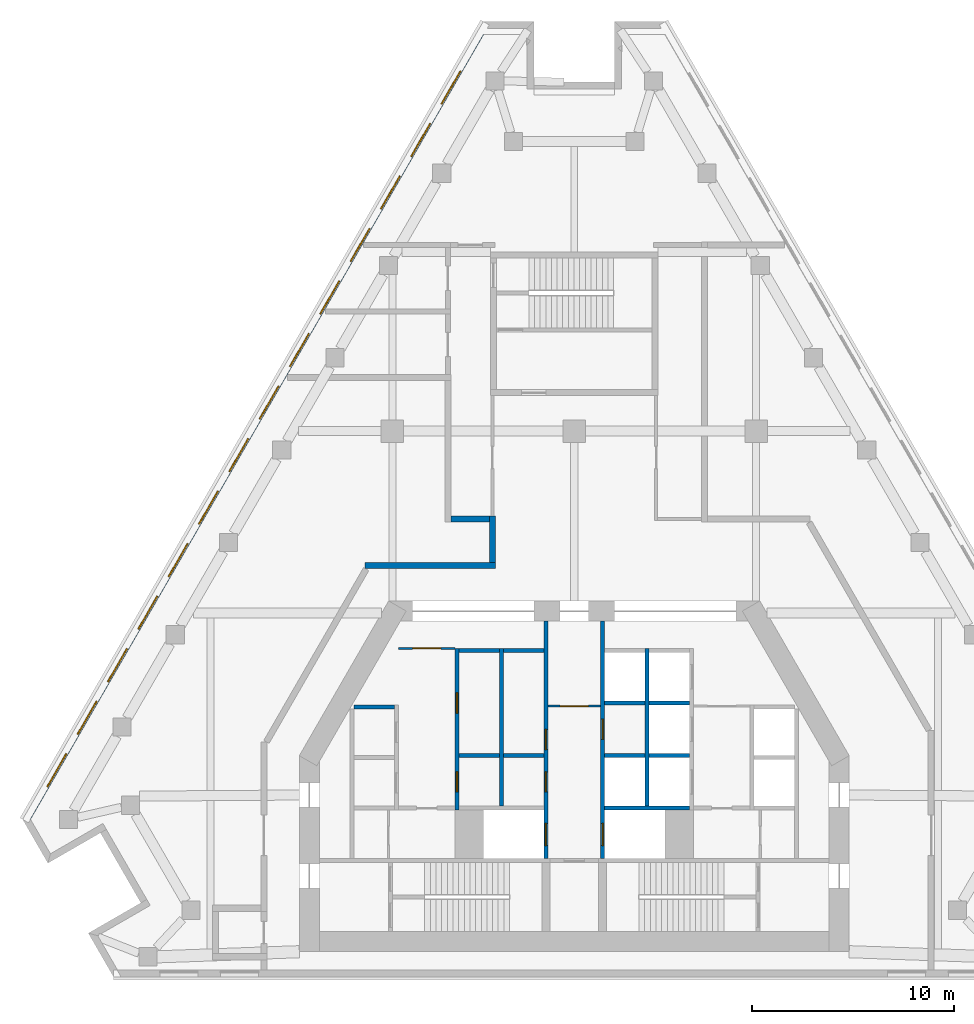
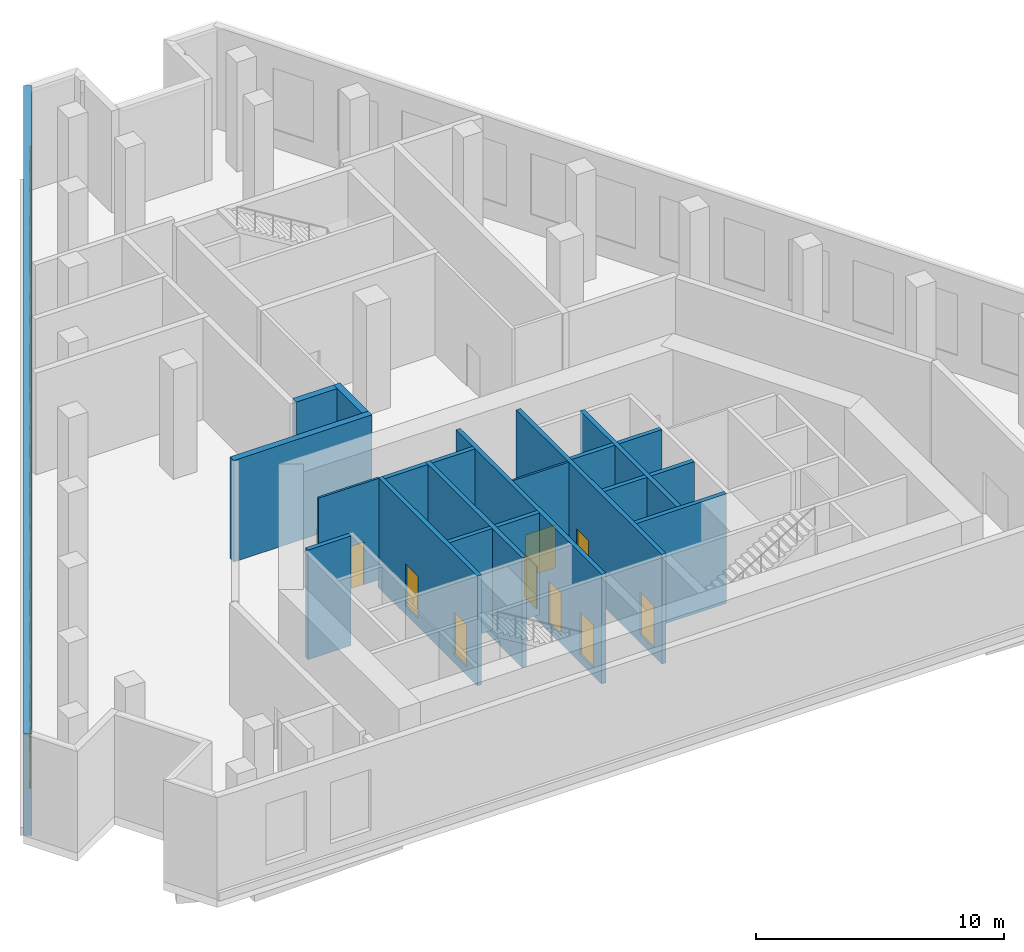
# One storey, part 3 of 7: 21 walls, 14 windows, 9 doors, 23 openings.
"""IFC4 building model written with IfcOpenShell, lengths in metres."""

from ifc_helpers import new_model, si_unit, direction, frame, frame_2d, origin, place, context, subcontext, project, spatial, rectangle, extrude, material, layer, layer_set, type_object, element, fill, save


model = new_model("IFC4")

# Units and contexts
model_context = context("Model", 3, precision=1e-05, world=origin(), true_north=direction((0.0, 1.0)))
body_context = subcontext(model_context, "Body", "Model", "MODEL_VIEW")
ifc_project = project(units=[si_unit("LENGTHUNIT", "METRE"), si_unit("AREAUNIT", "SQUARE_METRE"), si_unit("VOLUMEUNIT", "CUBIC_METRE"), si_unit("PLANEANGLEUNIT", "RADIAN"), si_unit("MASSUNIT", "GRAM", prefix="KILO")], contexts=[model_context])

# Site, building, storey
site_placement = place(None, origin())
site = spatial("IfcSite", under=ifc_project, at=site_placement, CompositionType="ELEMENT")
building_placement = place(site_placement, origin())
building = spatial("IfcBuilding", under=site, at=building_placement, Name="Fogline Exchange Tower", CompositionType="ELEMENT")
storey_placement = place(building_placement, frame((0.0, 0.0, 218.10009765625)))
storey = spatial("IfcBuildingStorey", under=building, at=storey_placement, Name="L49", CompositionType="ELEMENT", Elevation=218.10009765625)

# Wall, opening, door
ifc_material_1 = material(Name="Blockwork partition", Category="masonry")
ifc_layer_1 = layer(ifc_material_1, 0.10009765625)
ifc_layer_set_1 = layer_set([ifc_layer_1], Name="CW10")
wall_type_1 = type_object("IfcWallType", Name="CW10", PredefinedType="PARTITIONING", material=ifc_layer_set_1)
wall_1_placement = place(storey_placement, frame((-8.699951171875, 16.25, 0.0), z_axis=(0.0, 0.0, 1.0), x_axis=(1.0, 0.0, 0.0)))
wall_1 = element("IfcWall", 1, at=wall_1_placement, inside=storey, type_object=wall_type_1, Name="Lift lobby partition", PredefinedType="PARTITIONING", context=body_context, shape_type="SweptSolid", body=[
    extrude(rectangle(XDim=2.800048828125, YDim=0.10009765625, at=frame_2d((1.39990234375, 0.0))), origin(), (0.0, 0.0, 1.0), 5.0),
])
opening_1_placement = place(wall_1_placement, frame((0.699951171875, 0.0, 0.0)))
opening_1 = element("IfcOpeningElement", 2, at=opening_1_placement, cuts=wall_1, Name="Opening L49-C009", PredefinedType="OPENING", context=body_context, shape_type="SweptSolid", body=[
    extrude(rectangle(XDim=1.39990234375, YDim=2.10009765625, at=frame_2d((0.699951171875, 1.050048828125))), frame((0.0, 0.06005859375, 0.0), z_axis=(0.0, -1.0, 0.0), x_axis=(1.0, 0.0, 0.0)), (0.0, 0.0, 1.0), 0.1201171875),
])
ifc_material_2 = material(Name="Steel and timber fire door", Category="steel")
door_type_1 = type_object("IfcDoorType", Name="D-LB1", OperationType="DOUBLE_DOOR_SINGLE_SWING", PredefinedType="DOOR", material=ifc_material_2)
door_1_placement = place(opening_1_placement, origin())
door_1 = element("IfcDoor", 3, at=door_1_placement, inside=storey, type_object=door_type_1, Name="Door to lift lobby", OperationType="DOUBLE_DOOR_SINGLE_SWING", OverallHeight=2.10009765625, OverallWidth=1.39990234375, PredefinedType="DOOR", context=body_context, shape_type="SweptSolid", body=[
    extrude(rectangle(XDim=1.39990234375, YDim=2.10009765625, at=frame_2d((0.699951171875, 1.050048828125))), frame((0.0, 0.02490234375, 0.0), z_axis=(0.0, -1.0, 0.0), x_axis=(1.0, 0.0, 0.0)), (0.0, 0.0, 1.0), 0.050048828125),
])
fill(opening_1, door_1)

wall_2_placement = place(storey_placement, frame((-1.300048828125, 13.39990234375, 0.0), z_axis=(0.0, 0.0, 1.0), x_axis=(1.0, 0.0, 0.0)))
wall_2 = element("IfcWall", 4, at=wall_2_placement, inside=storey, type_object=wall_type_1, Name="Lift lobby partition", PredefinedType="PARTITIONING", context=body_context, shape_type="SweptSolid", body=[
    extrude(rectangle(XDim=2.60009765625, YDim=0.10009765625, at=frame_2d((1.300048828125, 0.0))), origin(), (0.0, 0.0, 1.0), 5.0),
])
opening_2_placement = place(wall_2_placement, frame((0.60009765625, 0.0, 0.0)))
opening_2 = element("IfcOpeningElement", 5, at=opening_2_placement, cuts=wall_2, Name="Opening L49-C021", PredefinedType="OPENING", context=body_context, shape_type="SweptSolid", body=[
    extrude(rectangle(XDim=1.39990234375, YDim=2.10009765625, at=frame_2d((0.699951171875, 1.050048828125))), frame((0.0, 0.06005859375, 0.0), z_axis=(0.0, -1.0, 0.0), x_axis=(1.0, 0.0, 0.0)), (0.0, 0.0, 1.0), 0.1201171875),
])
door_2_placement = place(opening_2_placement, origin())
door_2 = element("IfcDoor", 6, at=door_2_placement, inside=storey, type_object=door_type_1, Name="Door to firefighting lift lobby", OperationType="DOUBLE_DOOR_SINGLE_SWING", OverallHeight=2.10009765625, OverallWidth=1.39990234375, PredefinedType="DOOR", context=body_context, shape_type="SweptSolid", body=[
    extrude(rectangle(XDim=1.39990234375, YDim=2.10009765625, at=frame_2d((0.699951171875, 1.050048828125))), frame((0.0, 0.02490234375, 0.0), z_axis=(0.0, -1.0, 0.0), x_axis=(1.0, 0.0, 0.0)), (0.0, 0.0, 1.0), 0.050048828125),
])
fill(opening_2, door_2)

# Walls
ifc_material_3 = material(Name="Concrete C40", Category="concrete")
ifc_layer_2 = layer(ifc_material_3, 0.199951171875)
ifc_layer_set_2 = layer_set([ifc_layer_2], Name="CW20")
wall_type_2 = type_object("IfcWallType", Name="CW20", PredefinedType="SOLIDWALL", material=ifc_layer_set_2)
for number, where, z_axis, x_axis, name in (
    (7, (-5.699951171875, 10.949951171875, 0.0), (0.0, 0.0, 1.0), (1.0, 0.0, 0.0), "Service room wall"),
    (8, (-3.5, 10.949951171875, 0.0), (0.0, 0.0, 1.0), (1.0, 0.0, 0.0), "Service room wall"),
):
    element("IfcWall", number, at=place(storey_placement, frame(where, z_axis=z_axis, x_axis=x_axis)), inside=storey, type_object=wall_type_2, Name=name, PredefinedType="SOLIDWALL", context=body_context, shape_type="SweptSolid", body=[
        extrude(rectangle(XDim=2.0, YDim=0.199951171875, at=frame_2d((1.0, 0.0))), origin(), (0.0, 0.0, 1.0), 5.0),
    ])

# Wall, openings, doors
ifc_layer_3 = layer(ifc_material_3, 0.199951171875)
ifc_layer_set_3 = layer_set([ifc_layer_3], Name="CW20S")
wall_type_3 = type_object("IfcWallType", Name="CW20S", PredefinedType="SOLIDWALL", material=ifc_layer_set_3)
wall_3_placement = place(storey_placement, frame((-5.800048828125, 8.25, -0.400146484375), z_axis=(0.0, 0.0, 1.0), x_axis=(0.0, 1.0, 0.0)))
wall_3 = element("IfcWall", 9, at=wall_3_placement, inside=storey, type_object=wall_type_3, Name="Lift shaft wall", PredefinedType="SOLIDWALL", context=body_context, shape_type="SweptSolid", body=[
    extrude(rectangle(XDim=8.0, YDim=0.199951171875, at=frame_2d((4.0, 0.0))), origin(), (0.0, 0.0, 1.0), 5.400146484375),
])
opening_3_placement = place(wall_3_placement, frame((0.89990234375, 0.0, 0.39990234375)))
opening_3 = element("IfcOpeningElement", 10, at=opening_3_placement, cuts=wall_3, Name="Opening L49-C003", PredefinedType="OPENING", context=body_context, shape_type="SweptSolid", body=[
    extrude(rectangle(XDim=1.0, YDim=2.10009765625, at=frame_2d((0.5, 1.050048828125))), frame((0.0, 0.10986328125, 0.0), z_axis=(0.0, -1.0, 0.0), x_axis=(1.0, 0.0, 0.0)), (0.0, 0.0, 1.0), 0.219970703125),
])
opening_4_placement = place(wall_3_placement, frame((4.800048828125, 0.0, 0.39990234375)))
opening_4 = element("IfcOpeningElement", 11, at=opening_4_placement, cuts=wall_3, Name="Opening L49-C004", PredefinedType="OPENING", context=body_context, shape_type="SweptSolid", body=[
    extrude(rectangle(XDim=1.0, YDim=2.10009765625, at=frame_2d((0.5, 1.050048828125))), frame((0.0, 0.10986328125, 0.0), z_axis=(0.0, -1.0, 0.0), x_axis=(1.0, 0.0, 0.0)), (0.0, 0.0, 1.0), 0.219970703125),
])
door_type_2 = type_object("IfcDoorType", Name="D-RM1", OperationType="SINGLE_SWING_LEFT", PredefinedType="DOOR", material=ifc_material_2)
door_3_placement = place(opening_3_placement, frame((1.0, 0.0, 0.0), z_axis=(0.0, 0.0, 1.0), x_axis=(-1.0, 0.0, 0.0)))
door_3 = element("IfcDoor", 12, at=door_3_placement, inside=storey, type_object=door_type_2, Name="Door to Switch Room", OperationType="SINGLE_SWING_LEFT", OverallHeight=2.10009765625, OverallWidth=1.0, PredefinedType="DOOR", context=body_context, shape_type="SweptSolid", body=[
    extrude(rectangle(XDim=1.0, YDim=2.10009765625, at=frame_2d((0.5, 1.050048828125))), frame((0.0, 0.02490234375, 0.0), z_axis=(0.0, -1.0, 0.0), x_axis=(1.0, 0.0, 0.0)), (0.0, 0.0, 1.0), 0.050048828125),
])
fill(opening_3, door_3)
door_4_placement = place(opening_4_placement, frame((1.0, 0.0, 0.0), z_axis=(0.0, 0.0, 1.0), x_axis=(-1.0, 0.0, 0.0)))
door_4 = element("IfcDoor", 13, at=door_4_placement, inside=storey, type_object=door_type_2, Name="Door to Mechanical Plant Room", OperationType="SINGLE_SWING_RIGHT", OverallHeight=2.10009765625, OverallWidth=1.0, PredefinedType="DOOR", context=body_context, shape_type="SweptSolid", body=[
    extrude(rectangle(XDim=1.0, YDim=2.10009765625, at=frame_2d((0.5, 1.050048828125))), frame((0.0, 0.02490234375, 0.0), z_axis=(0.0, -1.0, 0.0), x_axis=(1.0, 0.0, 0.0)), (0.0, 0.0, 1.0), 0.050048828125),
])
fill(opening_4, door_4)

# Walls
for number, where, z_axis, x_axis, name in (
    (14, (-3.60009765625, 8.449951171875, -0.400146484375), (0.0, 0.0, 1.0), (0.0, 1.0, 0.0), "Lift shaft wall"),
    (15, (3.60009765625, 8.449951171875, -0.400146484375), (0.0, 0.0, 1.0), (0.0, 1.0, 0.0), "Lift shaft wall"),
):
    element("IfcWall", number, at=place(storey_placement, frame(where, z_axis=z_axis, x_axis=x_axis)), inside=storey, type_object=wall_type_3, Name=name, PredefinedType="SOLIDWALL", context=body_context, shape_type="SweptSolid", body=[
        extrude(rectangle(XDim=7.800048828125, YDim=0.199951171875, at=frame_2d((3.89990234375, 0.0))), origin(), (0.0, 0.0, 1.0), 5.400146484375),
    ])

# Wall, openings, doors
wall_4_placement = place(storey_placement, frame((-1.39990234375, 5.85009765625, -0.400146484375), z_axis=(0.0, 0.0, 1.0), x_axis=(0.0, 1.0, 0.0)))
wall_4 = element("IfcWall", 16, at=wall_4_placement, inside=storey, type_object=wall_type_3, Name="Lift lobby wall", PredefinedType="SOLIDWALL", context=body_context, shape_type="SweptSolid", body=[
    extrude(rectangle(XDim=11.75, YDim=0.199951171875, at=frame_2d((5.875, 0.0))), origin(), (0.0, 0.0, 1.0), 5.400146484375),
])
opening_5_placement = place(wall_4_placement, frame((0.64990234375, 0.0, 0.39990234375)))
opening_5 = element("IfcOpeningElement", 17, at=opening_5_placement, cuts=wall_4, Name="Opening L49-LD01", PredefinedType="OPENING", context=body_context, shape_type="SweptSolid", body=[
    extrude(rectangle(XDim=1.10009765625, YDim=2.10009765625, at=frame_2d((0.550048828125, 1.050048828125))), frame((0.0, 0.10986328125, 0.0), z_axis=(0.0, -1.0, 0.0), x_axis=(1.0, 0.0, 0.0)), (0.0, 0.0, 1.0), 0.219970703125),
])
opening_6_placement = place(wall_4_placement, frame((3.300048828125, 0.0, 0.39990234375)))
opening_6 = element("IfcOpeningElement", 18, at=opening_6_placement, cuts=wall_4, Name="Opening L49-C005", PredefinedType="OPENING", context=body_context, shape_type="SweptSolid", body=[
    extrude(rectangle(XDim=1.0, YDim=2.10009765625, at=frame_2d((0.5, 1.050048828125))), frame((0.0, 0.10986328125, 0.0), z_axis=(0.0, -1.0, 0.0), x_axis=(1.0, 0.0, 0.0)), (0.0, 0.0, 1.0), 0.219970703125),
])
opening_7_placement = place(wall_4_placement, frame((5.39990234375, 0.0, 0.39990234375)))
opening_7 = element("IfcOpeningElement", 19, at=opening_7_placement, cuts=wall_4, Name="Opening L49-C006", PredefinedType="OPENING", context=body_context, shape_type="SweptSolid", body=[
    extrude(rectangle(XDim=1.0, YDim=2.10009765625, at=frame_2d((0.5, 1.050048828125))), frame((0.0, 0.10986328125, 0.0), z_axis=(0.0, -1.0, 0.0), x_axis=(1.0, 0.0, 0.0)), (0.0, 0.0, 1.0), 0.219970703125),
])
door_5_placement = place(opening_6_placement, origin())
door_5 = element("IfcDoor", 20, at=door_5_placement, inside=storey, type_object=door_type_2, Name="Door to Plumbing Plant Room", OperationType="SINGLE_SWING_LEFT", OverallHeight=2.10009765625, OverallWidth=1.0, PredefinedType="DOOR", context=body_context, shape_type="SweptSolid", body=[
    extrude(rectangle(XDim=1.0, YDim=2.10009765625, at=frame_2d((0.5, 1.050048828125))), frame((0.0, 0.02490234375, 0.0), z_axis=(0.0, -1.0, 0.0), x_axis=(1.0, 0.0, 0.0)), (0.0, 0.0, 1.0), 0.050048828125),
])
fill(opening_6, door_5)
door_6_placement = place(opening_7_placement, origin())
door_6 = element("IfcDoor", 21, at=door_6_placement, inside=storey, type_object=door_type_2, Name="Door to Pump Plant Room", OperationType="SINGLE_SWING_LEFT", OverallHeight=2.10009765625, OverallWidth=1.0, PredefinedType="DOOR", context=body_context, shape_type="SweptSolid", body=[
    extrude(rectangle(XDim=1.0, YDim=2.10009765625, at=frame_2d((0.5, 1.050048828125))), frame((0.0, 0.02490234375, 0.0), z_axis=(0.0, -1.0, 0.0), x_axis=(1.0, 0.0, 0.0)), (0.0, 0.0, 1.0), 0.050048828125),
])
fill(opening_7, door_6)
door_type_3 = type_object("IfcDoorType", Name="LD2", OperationType="SLIDING_TO_RIGHT", PredefinedType="DOOR", material=ifc_material_2)
door_7_placement = place(opening_5_placement, origin())
door_7 = element("IfcDoor", 22, at=door_7_placement, inside=storey, type_object=door_type_3, Name="Landing door FF1", OperationType="SLIDING_TO_RIGHT", OverallHeight=2.10009765625, OverallWidth=1.10009765625, PredefinedType="DOOR", context=body_context, shape_type="SweptSolid", body=[
    extrude(rectangle(XDim=1.10009765625, YDim=2.10009765625, at=frame_2d((0.550048828125, 1.050048828125))), frame((0.0, 0.02490234375, 0.0), z_axis=(0.0, -1.0, 0.0), x_axis=(1.0, 0.0, 0.0)), (0.0, 0.0, 1.0), 0.050048828125),
])
fill(opening_5, door_7)

wall_5_placement = place(storey_placement, frame((1.39990234375, 5.85009765625, -0.400146484375), z_axis=(0.0, 0.0, 1.0), x_axis=(0.0, 1.0, 0.0)))
wall_5 = element("IfcWall", 23, at=wall_5_placement, inside=storey, type_object=wall_type_3, Name="Lift lobby wall", PredefinedType="SOLIDWALL", context=body_context, shape_type="SweptSolid", body=[
    extrude(rectangle(XDim=11.75, YDim=0.199951171875, at=frame_2d((5.875, 0.0))), origin(), (0.0, 0.0, 1.0), 5.400146484375),
])
opening_8_placement = place(wall_5_placement, frame((0.64990234375, 0.0, 0.39990234375)))
opening_8 = element("IfcOpeningElement", 24, at=opening_8_placement, cuts=wall_5, Name="Opening L49-LD05", PredefinedType="OPENING", context=body_context, shape_type="SweptSolid", body=[
    extrude(rectangle(XDim=1.10009765625, YDim=2.10009765625, at=frame_2d((0.550048828125, 1.050048828125))), frame((0.0, 0.10986328125, 0.0), z_axis=(0.0, -1.0, 0.0), x_axis=(1.0, 0.0, 0.0)), (0.0, 0.0, 1.0), 0.219970703125),
])
opening_9_placement = place(wall_5_placement, frame((5.89990234375, 0.0, 0.39990234375)))
opening_9 = element("IfcOpeningElement", 25, at=opening_9_placement, cuts=wall_5, Name="Opening L49-C007", PredefinedType="OPENING", context=body_context, shape_type="SweptSolid", body=[
    extrude(rectangle(XDim=1.0, YDim=2.10009765625, at=frame_2d((0.5, 1.050048828125))), frame((0.0, 0.10986328125, 0.0), z_axis=(0.0, -1.0, 0.0), x_axis=(1.0, 0.0, 0.0)), (0.0, 0.0, 1.0), 0.219970703125),
])
door_8_placement = place(opening_9_placement, frame((1.0, 0.0, 0.0), z_axis=(0.0, 0.0, 1.0), x_axis=(-1.0, 0.0, 0.0)))
door_8 = element("IfcDoor", 26, at=door_8_placement, inside=storey, type_object=door_type_2, Name="Door to Transformer Room", OperationType="SINGLE_SWING_RIGHT", OverallHeight=2.10009765625, OverallWidth=1.0, PredefinedType="DOOR", context=body_context, shape_type="SweptSolid", body=[
    extrude(rectangle(XDim=1.0, YDim=2.10009765625, at=frame_2d((0.5, 1.050048828125))), frame((0.0, 0.02490234375, 0.0), z_axis=(0.0, -1.0, 0.0), x_axis=(1.0, 0.0, 0.0)), (0.0, 0.0, 1.0), 0.050048828125),
])
fill(opening_9, door_8)
door_9_placement = place(opening_8_placement, origin())
door_9 = element("IfcDoor", 27, at=door_9_placement, inside=storey, type_object=door_type_3, Name="Landing door FF2", OperationType="SLIDING_TO_RIGHT", OverallHeight=2.10009765625, OverallWidth=1.10009765625, PredefinedType="DOOR", context=body_context, shape_type="SweptSolid", body=[
    extrude(rectangle(XDim=1.10009765625, YDim=2.10009765625, at=frame_2d((0.550048828125, 1.050048828125))), frame((0.0, 0.02490234375, 0.0), z_axis=(0.0, -1.0, 0.0), x_axis=(1.0, 0.0, 0.0)), (0.0, 0.0, 1.0), 0.050048828125),
])
fill(opening_8, door_9)

# Walls
wall_6_placement = place(storey_placement, frame((1.5, 8.35009765625, -0.400146484375), z_axis=(0.0, 0.0, 1.0), x_axis=(1.0, 0.0, 0.0)))
element("IfcWall", 28, at=wall_6_placement, inside=storey, type_object=wall_type_3, Name="Lift shaft wall", PredefinedType="SOLIDWALL", context=body_context, shape_type="SweptSolid", body=[
    extrude(rectangle(XDim=4.199951171875, YDim=0.199951171875, at=frame_2d((2.10009765625, 0.0))), origin(), (0.0, 0.0, 1.0), 5.400146484375),
])
for number, where, z_axis, x_axis, name in (
    (29, (-10.89990234375, 13.35009765625, -0.400146484375), (0.0, 0.0, 1.0), (1.0, 0.0, 0.0), "Lift shaft wall"),
    (30, (-5.699951171875, 16.14990234375, -0.400146484375), (0.0, 0.0, 1.0), (1.0, 0.0, 0.0), "Lift shaft wall"),
    (31, (-3.5, 16.14990234375, -0.400146484375), (0.0, 0.0, 1.0), (1.0, 0.0, 0.0), "Lift shaft wall"),
    (32, (3.699951171875, 10.949951171875, -0.400146484375), (0.0, 0.0, 1.0), (1.0, 0.0, 0.0), "Lift shaft wall"),
    (33, (3.699951171875, 13.550048828125, -0.400146484375), (0.0, 0.0, 1.0), (1.0, 0.0, 0.0), "Lift shaft wall"),
    (34, (1.5, 10.949951171875, -0.400146484375), (0.0, 0.0, 1.0), (1.0, 0.0, 0.0), "Lift shaft wall"),
    (35, (1.5, 13.550048828125, -0.400146484375), (0.0, 0.0, 1.0), (1.0, 0.0, 0.0), "Lift shaft wall"),
):
    element("IfcWall", number, at=place(storey_placement, frame(where, z_axis=z_axis, x_axis=x_axis)), inside=storey, type_object=wall_type_3, Name=name, PredefinedType="SOLIDWALL", context=body_context, shape_type="SweptSolid", body=[
        extrude(rectangle(XDim=2.0, YDim=0.199951171875, at=frame_2d((1.0, 0.0))), origin(), (0.0, 0.0, 1.0), 5.400146484375),
    ])

# Wall, openings, windows
ifc_material_4 = material(Name="Brick masonry", Category="masonry")
ifc_layer_4 = layer(ifc_material_4, 0.340087890625)
ifc_layer_set_4 = layer_set([ifc_layer_4], Name="FW3")
wall_type_4 = type_object("IfcWallType", Name="FW3", PredefinedType="SOLIDWALL", material=ifc_layer_set_4)
wall_7_placement = place(storey_placement, frame((-4.352783203125, 47.1767578125, 0.0), z_axis=(0.0, 0.0, 1.0), x_axis=(-0.500000533701, -0.866025095652, 0.0)))
wall_7 = element("IfcWall", 36, at=wall_7_placement, inside=storey, type_object=wall_type_4, Name="Brick wall L49 W", PredefinedType="SOLIDWALL", context=body_context, shape_type="SweptSolid", body=[
    extrude(rectangle(XDim=45.5732421875, YDim=0.340087890625, at=frame_2d((22.78662109375, 0.0))), origin(), (0.0, 0.0, 1.0), 5.0),
])
opening_10_placement = place(wall_7_placement, frame((2.6796875, 0.0, 0.89990234375)))
opening_10 = element("IfcOpeningElement", 37, at=opening_10_placement, cuts=wall_7, Name="Opening W6", PredefinedType="OPENING", context=body_context, shape_type="SweptSolid", body=[
    extrude(rectangle(XDim=1.885009765625, YDim=3.0, at=frame_2d((0.9423828125, 1.5))), frame((0.0, 0.18017578125, 0.0), z_axis=(0.0, -1.0, 0.0), x_axis=(1.0, 0.0, 0.0)), (0.0, 0.0, 1.0), 0.360107421875),
])
opening_11_placement = place(wall_7_placement, frame((5.6796875, 0.0, 0.89990234375)))
opening_11 = element("IfcOpeningElement", 38, at=opening_11_placement, cuts=wall_7, Name="Opening W6", PredefinedType="OPENING", context=body_context, shape_type="SweptSolid", body=[
    extrude(rectangle(XDim=1.885009765625, YDim=3.0, at=frame_2d((0.9423828125, 1.5))), frame((0.0, 0.18017578125, 0.0), z_axis=(0.0, -1.0, 0.0), x_axis=(1.0, 0.0, 0.0)), (0.0, 0.0, 1.0), 0.360107421875),
])
opening_12_placement = place(wall_7_placement, frame((8.6796875, 0.0, 0.89990234375)))
opening_12 = element("IfcOpeningElement", 39, at=opening_12_placement, cuts=wall_7, Name="Opening W6", PredefinedType="OPENING", context=body_context, shape_type="SweptSolid", body=[
    extrude(rectangle(XDim=1.885009765625, YDim=3.0, at=frame_2d((0.9423828125, 1.5))), frame((0.0, 0.18017578125, 0.0), z_axis=(0.0, -1.0, 0.0), x_axis=(1.0, 0.0, 0.0)), (0.0, 0.0, 1.0), 0.360107421875),
])
opening_13_placement = place(wall_7_placement, frame((11.6796875, 0.0, 0.89990234375)))
opening_13 = element("IfcOpeningElement", 40, at=opening_13_placement, cuts=wall_7, Name="Opening W6", PredefinedType="OPENING", context=body_context, shape_type="SweptSolid", body=[
    extrude(rectangle(XDim=1.885009765625, YDim=3.0, at=frame_2d((0.9423828125, 1.5))), frame((0.0, 0.18017578125, 0.0), z_axis=(0.0, -1.0, 0.0), x_axis=(1.0, 0.0, 0.0)), (0.0, 0.0, 1.0), 0.360107421875),
])
opening_14_placement = place(wall_7_placement, frame((14.6796875, 0.0, 0.89990234375)))
opening_14 = element("IfcOpeningElement", 41, at=opening_14_placement, cuts=wall_7, Name="Opening W6", PredefinedType="OPENING", context=body_context, shape_type="SweptSolid", body=[
    extrude(rectangle(XDim=1.885009765625, YDim=3.0, at=frame_2d((0.9423828125, 1.5))), frame((0.0, 0.18017578125, 0.0), z_axis=(0.0, -1.0, 0.0), x_axis=(1.0, 0.0, 0.0)), (0.0, 0.0, 1.0), 0.360107421875),
])
opening_15_placement = place(wall_7_placement, frame((17.6796875, 0.0, 0.89990234375)))
opening_15 = element("IfcOpeningElement", 42, at=opening_15_placement, cuts=wall_7, Name="Opening W6", PredefinedType="OPENING", context=body_context, shape_type="SweptSolid", body=[
    extrude(rectangle(XDim=1.885009765625, YDim=3.0, at=frame_2d((0.9423828125, 1.5))), frame((0.0, 0.18017578125, 0.0), z_axis=(0.0, -1.0, 0.0), x_axis=(1.0, 0.0, 0.0)), (0.0, 0.0, 1.0), 0.360107421875),
])
opening_16_placement = place(wall_7_placement, frame((20.6796875, 0.0, 0.89990234375)))
opening_16 = element("IfcOpeningElement", 43, at=opening_16_placement, cuts=wall_7, Name="Opening W6", PredefinedType="OPENING", context=body_context, shape_type="SweptSolid", body=[
    extrude(rectangle(XDim=1.885009765625, YDim=3.0, at=frame_2d((0.9423828125, 1.5))), frame((0.0, 0.18017578125, 0.0), z_axis=(0.0, -1.0, 0.0), x_axis=(1.0, 0.0, 0.0)), (0.0, 0.0, 1.0), 0.360107421875),
])
opening_17_placement = place(wall_7_placement, frame((23.6796875, 0.0, 0.89990234375)))
opening_17 = element("IfcOpeningElement", 44, at=opening_17_placement, cuts=wall_7, Name="Opening W6", PredefinedType="OPENING", context=body_context, shape_type="SweptSolid", body=[
    extrude(rectangle(XDim=1.885009765625, YDim=3.0, at=frame_2d((0.9423828125, 1.5))), frame((0.0, 0.18017578125, 0.0), z_axis=(0.0, -1.0, 0.0), x_axis=(1.0, 0.0, 0.0)), (0.0, 0.0, 1.0), 0.360107421875),
])
opening_18_placement = place(wall_7_placement, frame((26.6796875, 0.0, 0.89990234375)))
opening_18 = element("IfcOpeningElement", 45, at=opening_18_placement, cuts=wall_7, Name="Opening W6", PredefinedType="OPENING", context=body_context, shape_type="SweptSolid", body=[
    extrude(rectangle(XDim=1.885009765625, YDim=3.0, at=frame_2d((0.9423828125, 1.5))), frame((0.0, 0.18017578125, 0.0), z_axis=(0.0, -1.0, 0.0), x_axis=(1.0, 0.0, 0.0)), (0.0, 0.0, 1.0), 0.360107421875),
])
opening_19_placement = place(wall_7_placement, frame((29.6796875, 0.0, 0.89990234375)))
opening_19 = element("IfcOpeningElement", 46, at=opening_19_placement, cuts=wall_7, Name="Opening W6", PredefinedType="OPENING", context=body_context, shape_type="SweptSolid", body=[
    extrude(rectangle(XDim=1.885009765625, YDim=3.0, at=frame_2d((0.9423828125, 1.5))), frame((0.0, 0.18017578125, 0.0), z_axis=(0.0, -1.0, 0.0), x_axis=(1.0, 0.0, 0.0)), (0.0, 0.0, 1.0), 0.360107421875),
])
opening_20_placement = place(wall_7_placement, frame((32.6796875, 0.0, 0.89990234375)))
opening_20 = element("IfcOpeningElement", 47, at=opening_20_placement, cuts=wall_7, Name="Opening W6", PredefinedType="OPENING", context=body_context, shape_type="SweptSolid", body=[
    extrude(rectangle(XDim=1.885009765625, YDim=3.0, at=frame_2d((0.9423828125, 1.5))), frame((0.0, 0.18017578125, 0.0), z_axis=(0.0, -1.0, 0.0), x_axis=(1.0, 0.0, 0.0)), (0.0, 0.0, 1.0), 0.360107421875),
])
opening_21_placement = place(wall_7_placement, frame((35.6796875, 0.0, 0.89990234375)))
opening_21 = element("IfcOpeningElement", 48, at=opening_21_placement, cuts=wall_7, Name="Opening W6", PredefinedType="OPENING", context=body_context, shape_type="SweptSolid", body=[
    extrude(rectangle(XDim=1.885009765625, YDim=3.0, at=frame_2d((0.9423828125, 1.5))), frame((0.0, 0.18017578125, 0.0), z_axis=(0.0, -1.0, 0.0), x_axis=(1.0, 0.0, 0.0)), (0.0, 0.0, 1.0), 0.360107421875),
])
opening_22_placement = place(wall_7_placement, frame((38.6796875, 0.0, 0.89990234375)))
opening_22 = element("IfcOpeningElement", 49, at=opening_22_placement, cuts=wall_7, Name="Opening W6", PredefinedType="OPENING", context=body_context, shape_type="SweptSolid", body=[
    extrude(rectangle(XDim=1.885009765625, YDim=3.0, at=frame_2d((0.9423828125, 1.5))), frame((0.0, 0.18017578125, 0.0), z_axis=(0.0, -1.0, 0.0), x_axis=(1.0, 0.0, 0.0)), (0.0, 0.0, 1.0), 0.360107421875),
])
opening_23_placement = place(wall_7_placement, frame((41.6796875, 0.0, 0.89990234375)))
opening_23 = element("IfcOpeningElement", 50, at=opening_23_placement, cuts=wall_7, Name="Opening W6", PredefinedType="OPENING", context=body_context, shape_type="SweptSolid", body=[
    extrude(rectangle(XDim=1.885009765625, YDim=3.0, at=frame_2d((0.9423828125, 1.5))), frame((0.0, 0.18017578125, 0.0), z_axis=(0.0, -1.0, 0.0), x_axis=(1.0, 0.0, 0.0)), (0.0, 0.0, 1.0), 0.360107421875),
])
ifc_material_5 = material(Name="Aluminium louvre", Category="aluminium")
window_type = type_object("IfcWindowType", Name="W6", PartitioningType="SINGLE_PANEL", PredefinedType="WINDOW", material=ifc_material_5)
window_1_placement = place(opening_10_placement, origin())
window_1 = element("IfcWindow", 51, at=window_1_placement, inside=storey, type_object=window_type, Name="W6 W6", OverallHeight=3.0, OverallWidth=1.885009765625, PartitioningType="SINGLE_PANEL", PredefinedType="WINDOW", context=body_context, shape_type="SweptSolid", body=[
    extrude(rectangle(XDim=1.885009765625, YDim=3.0, at=frame_2d((0.9423828125, 1.5))), frame((0.0, 0.110107421875, 0.0), z_axis=(0.0, -1.0, 0.0), x_axis=(1.0, 0.0, 0.0)), (0.0, 0.0, 1.0), 0.06005859375),
])
fill(opening_10, window_1)
window_2_placement = place(opening_11_placement, origin())
window_2 = element("IfcWindow", 52, at=window_2_placement, inside=storey, type_object=window_type, Name="W6 W6", OverallHeight=3.0, OverallWidth=1.885009765625, PartitioningType="SINGLE_PANEL", PredefinedType="WINDOW", context=body_context, shape_type="SweptSolid", body=[
    extrude(rectangle(XDim=1.885009765625, YDim=3.0, at=frame_2d((0.9423828125, 1.5))), frame((0.0, 0.110107421875, 0.0), z_axis=(0.0, -1.0, 0.0), x_axis=(1.0, 0.0, 0.0)), (0.0, 0.0, 1.0), 0.06005859375),
])
fill(opening_11, window_2)
window_3_placement = place(opening_12_placement, origin())
window_3 = element("IfcWindow", 53, at=window_3_placement, inside=storey, type_object=window_type, Name="W6 W6", OverallHeight=3.0, OverallWidth=1.885009765625, PartitioningType="SINGLE_PANEL", PredefinedType="WINDOW", context=body_context, shape_type="SweptSolid", body=[
    extrude(rectangle(XDim=1.885009765625, YDim=3.0, at=frame_2d((0.9423828125, 1.5))), frame((0.0, 0.110107421875, 0.0), z_axis=(0.0, -1.0, 0.0), x_axis=(1.0, 0.0, 0.0)), (0.0, 0.0, 1.0), 0.06005859375),
])
fill(opening_12, window_3)
window_4_placement = place(opening_13_placement, origin())
window_4 = element("IfcWindow", 54, at=window_4_placement, inside=storey, type_object=window_type, Name="W6 W6", OverallHeight=3.0, OverallWidth=1.885009765625, PartitioningType="SINGLE_PANEL", PredefinedType="WINDOW", context=body_context, shape_type="SweptSolid", body=[
    extrude(rectangle(XDim=1.885009765625, YDim=3.0, at=frame_2d((0.9423828125, 1.5))), frame((0.0, 0.110107421875, 0.0), z_axis=(0.0, -1.0, 0.0), x_axis=(1.0, 0.0, 0.0)), (0.0, 0.0, 1.0), 0.06005859375),
])
fill(opening_13, window_4)
window_5_placement = place(opening_14_placement, origin())
window_5 = element("IfcWindow", 55, at=window_5_placement, inside=storey, type_object=window_type, Name="W6 W6", OverallHeight=3.0, OverallWidth=1.885009765625, PartitioningType="SINGLE_PANEL", PredefinedType="WINDOW", context=body_context, shape_type="SweptSolid", body=[
    extrude(rectangle(XDim=1.885009765625, YDim=3.0, at=frame_2d((0.9423828125, 1.5))), frame((0.0, 0.110107421875, 0.0), z_axis=(0.0, -1.0, 0.0), x_axis=(1.0, 0.0, 0.0)), (0.0, 0.0, 1.0), 0.06005859375),
])
fill(opening_14, window_5)
window_6_placement = place(opening_15_placement, origin())
window_6 = element("IfcWindow", 56, at=window_6_placement, inside=storey, type_object=window_type, Name="W6 W6", OverallHeight=3.0, OverallWidth=1.885009765625, PartitioningType="SINGLE_PANEL", PredefinedType="WINDOW", context=body_context, shape_type="SweptSolid", body=[
    extrude(rectangle(XDim=1.885009765625, YDim=3.0, at=frame_2d((0.9423828125, 1.5))), frame((0.0, 0.110107421875, 0.0), z_axis=(0.0, -1.0, 0.0), x_axis=(1.0, 0.0, 0.0)), (0.0, 0.0, 1.0), 0.06005859375),
])
fill(opening_15, window_6)
window_7_placement = place(opening_16_placement, origin())
window_7 = element("IfcWindow", 57, at=window_7_placement, inside=storey, type_object=window_type, Name="W6 W6", OverallHeight=3.0, OverallWidth=1.885009765625, PartitioningType="SINGLE_PANEL", PredefinedType="WINDOW", context=body_context, shape_type="SweptSolid", body=[
    extrude(rectangle(XDim=1.885009765625, YDim=3.0, at=frame_2d((0.9423828125, 1.5))), frame((0.0, 0.110107421875, 0.0), z_axis=(0.0, -1.0, 0.0), x_axis=(1.0, 0.0, 0.0)), (0.0, 0.0, 1.0), 0.06005859375),
])
fill(opening_16, window_7)
window_8_placement = place(opening_17_placement, origin())
window_8 = element("IfcWindow", 58, at=window_8_placement, inside=storey, type_object=window_type, Name="W6 W6", OverallHeight=3.0, OverallWidth=1.885009765625, PartitioningType="SINGLE_PANEL", PredefinedType="WINDOW", context=body_context, shape_type="SweptSolid", body=[
    extrude(rectangle(XDim=1.885009765625, YDim=3.0, at=frame_2d((0.9423828125, 1.5))), frame((0.0, 0.110107421875, 0.0), z_axis=(0.0, -1.0, 0.0), x_axis=(1.0, 0.0, 0.0)), (0.0, 0.0, 1.0), 0.06005859375),
])
fill(opening_17, window_8)
window_9_placement = place(opening_18_placement, origin())
window_9 = element("IfcWindow", 59, at=window_9_placement, inside=storey, type_object=window_type, Name="W6 W6", OverallHeight=3.0, OverallWidth=1.885009765625, PartitioningType="SINGLE_PANEL", PredefinedType="WINDOW", context=body_context, shape_type="SweptSolid", body=[
    extrude(rectangle(XDim=1.885009765625, YDim=3.0, at=frame_2d((0.9423828125, 1.5))), frame((0.0, 0.110107421875, 0.0), z_axis=(0.0, -1.0, 0.0), x_axis=(1.0, 0.0, 0.0)), (0.0, 0.0, 1.0), 0.06005859375),
])
fill(opening_18, window_9)
window_10_placement = place(opening_19_placement, origin())
window_10 = element("IfcWindow", 60, at=window_10_placement, inside=storey, type_object=window_type, Name="W6 W6", OverallHeight=3.0, OverallWidth=1.885009765625, PartitioningType="SINGLE_PANEL", PredefinedType="WINDOW", context=body_context, shape_type="SweptSolid", body=[
    extrude(rectangle(XDim=1.885009765625, YDim=3.0, at=frame_2d((0.9423828125, 1.5))), frame((0.0, 0.110107421875, 0.0), z_axis=(0.0, -1.0, 0.0), x_axis=(1.0, 0.0, 0.0)), (0.0, 0.0, 1.0), 0.06005859375),
])
fill(opening_19, window_10)
window_11_placement = place(opening_20_placement, origin())
window_11 = element("IfcWindow", 61, at=window_11_placement, inside=storey, type_object=window_type, Name="W6 W6", OverallHeight=3.0, OverallWidth=1.885009765625, PartitioningType="SINGLE_PANEL", PredefinedType="WINDOW", context=body_context, shape_type="SweptSolid", body=[
    extrude(rectangle(XDim=1.885009765625, YDim=3.0, at=frame_2d((0.9423828125, 1.5))), frame((0.0, 0.110107421875, 0.0), z_axis=(0.0, -1.0, 0.0), x_axis=(1.0, 0.0, 0.0)), (0.0, 0.0, 1.0), 0.06005859375),
])
fill(opening_20, window_11)
window_12_placement = place(opening_21_placement, origin())
window_12 = element("IfcWindow", 62, at=window_12_placement, inside=storey, type_object=window_type, Name="W6 W6", OverallHeight=3.0, OverallWidth=1.885009765625, PartitioningType="SINGLE_PANEL", PredefinedType="WINDOW", context=body_context, shape_type="SweptSolid", body=[
    extrude(rectangle(XDim=1.885009765625, YDim=3.0, at=frame_2d((0.9423828125, 1.5))), frame((0.0, 0.110107421875, 0.0), z_axis=(0.0, -1.0, 0.0), x_axis=(1.0, 0.0, 0.0)), (0.0, 0.0, 1.0), 0.06005859375),
])
fill(opening_21, window_12)
window_13_placement = place(opening_22_placement, origin())
window_13 = element("IfcWindow", 63, at=window_13_placement, inside=storey, type_object=window_type, Name="W6 W6", OverallHeight=3.0, OverallWidth=1.885009765625, PartitioningType="SINGLE_PANEL", PredefinedType="WINDOW", context=body_context, shape_type="SweptSolid", body=[
    extrude(rectangle(XDim=1.885009765625, YDim=3.0, at=frame_2d((0.9423828125, 1.5))), frame((0.0, 0.110107421875, 0.0), z_axis=(0.0, -1.0, 0.0), x_axis=(1.0, 0.0, 0.0)), (0.0, 0.0, 1.0), 0.06005859375),
])
fill(opening_22, window_13)
window_14_placement = place(opening_23_placement, origin())
window_14 = element("IfcWindow", 64, at=window_14_placement, inside=storey, type_object=window_type, Name="W6 W6", OverallHeight=3.0, OverallWidth=1.885009765625, PartitioningType="SINGLE_PANEL", PredefinedType="WINDOW", context=body_context, shape_type="SweptSolid", body=[
    extrude(rectangle(XDim=1.885009765625, YDim=3.0, at=frame_2d((0.9423828125, 1.5))), frame((0.0, 0.110107421875, 0.0), z_axis=(0.0, -1.0, 0.0), x_axis=(1.0, 0.0, 0.0)), (0.0, 0.0, 1.0), 0.06005859375),
])
fill(opening_23, window_14)

# Walls
ifc_layer_5 = layer(ifc_material_3, 0.300048828125)
ifc_layer_set_5 = layer_set([ifc_layer_5], Name="PP4")
wall_type_5 = type_object("IfcWallType", Name="PP4", PredefinedType="SOLIDWALL", material=ifc_layer_set_5)
wall_8_placement = place(storey_placement, frame((-10.33935546875, 20.35009765625, 0.0), z_axis=(0.0, 0.0, 1.0), x_axis=(1.0, 0.0, 0.0)))
element("IfcWall", 65, at=wall_8_placement, inside=storey, type_object=wall_type_5, Name="PP4 partition", PredefinedType="SOLIDWALL", context=body_context, shape_type="SweptSolid", body=[
    extrude(rectangle(XDim=6.439453125, YDim=0.300048828125, at=frame_2d((3.2197265625, 0.0))), origin(), (0.0, 0.0, 1.0), 5.0),
])
wall_9_placement = place(storey_placement, frame((-4.050048828125, 20.5, 0.0), z_axis=(0.0, 0.0, 1.0), x_axis=(0.0, 1.0, 0.0)))
element("IfcWall", 66, at=wall_9_placement, inside=storey, type_object=wall_type_5, Name="PP4 partition", PredefinedType="SOLIDWALL", context=body_context, shape_type="SweptSolid", body=[
    extrude(rectangle(XDim=2.299072265625, YDim=0.300048828125, at=frame_2d((1.1494140625, 0.0))), origin(), (0.0, 0.0, 1.0), 5.0),
])
wall_10_placement = place(storey_placement, frame((-4.199951171875, 22.64892578125, 0.0), z_axis=(0.0, 0.0, 1.0), x_axis=(-1.0, 0.0, 0.0)))
element("IfcWall", 67, at=wall_10_placement, inside=storey, type_object=wall_type_5, Name="PP4 partition", PredefinedType="SOLIDWALL", context=body_context, shape_type="SweptSolid", body=[
    extrude(rectangle(XDim=1.900146484375, YDim=0.300048828125, at=frame_2d((0.9501953125, 0.0))), origin(), (0.0, 0.0, 1.0), 5.0),
])

save(model, "model.ifc")
